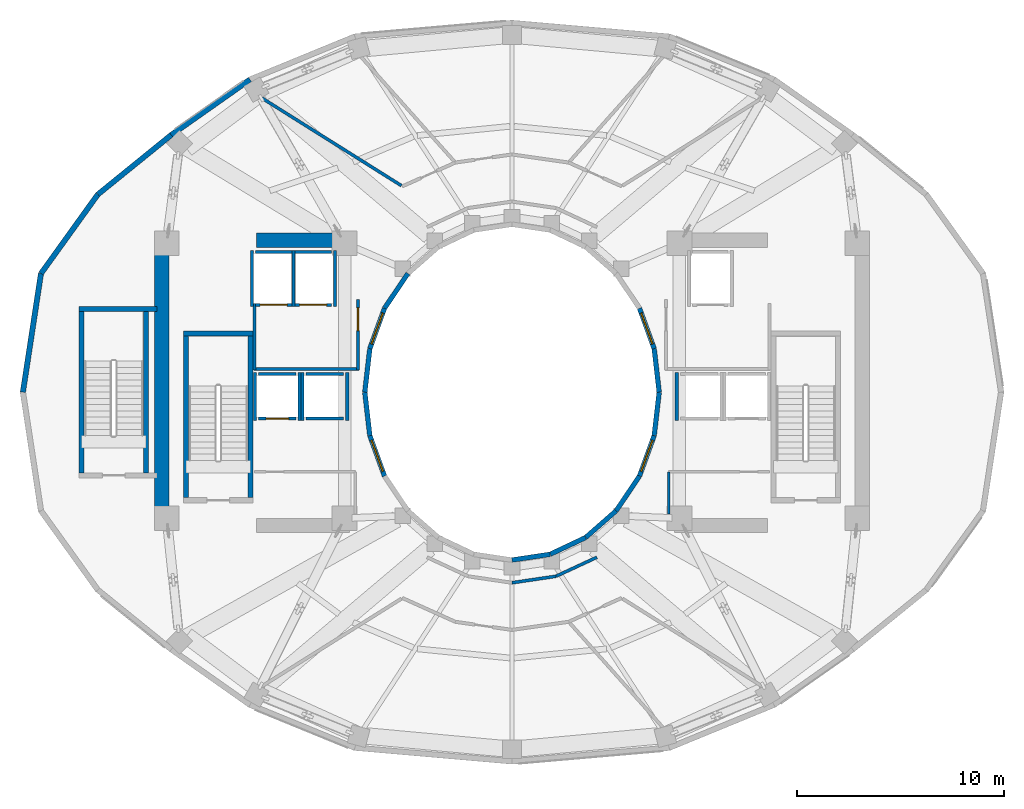
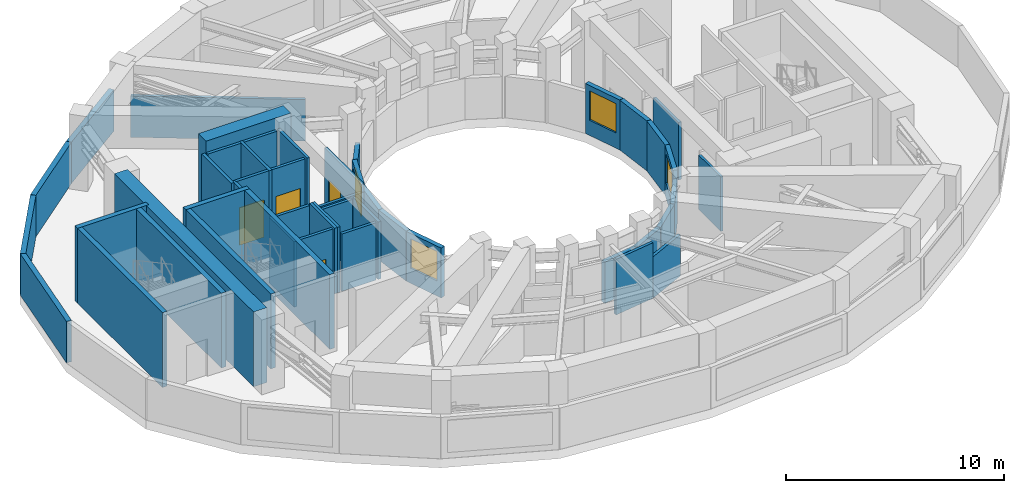
# One storey, part 4 of 10: 48 walls, 4 doors, 4 windows, 8 openings.
"""IFC4 building model written with IfcOpenShell, lengths in metres."""

from ifc_helpers import new_model, si_unit, direction, frame, frame_2d, origin, place, context, subcontext, project, spatial, rectangle, extrude, material, layer, layer_set, type_object, element, fill, save


model = new_model("IFC4")

# Units and contexts
model_context = context("Model", 3, precision=1e-05, world=origin(), true_north=direction((0.0, 1.0)))
body_context = subcontext(model_context, "Body", "Model", "MODEL_VIEW")
ifc_project = project(units=[si_unit("LENGTHUNIT", "METRE"), si_unit("AREAUNIT", "SQUARE_METRE"), si_unit("VOLUMEUNIT", "CUBIC_METRE"), si_unit("PLANEANGLEUNIT", "RADIAN"), si_unit("MASSUNIT", "GRAM", prefix="KILO")], contexts=[model_context])

# Site, building, storey
site_placement = place(None, origin())
site = spatial("IfcSite", under=ifc_project, at=site_placement, CompositionType="ELEMENT")
building_placement = place(site_placement, origin())
building = spatial("IfcBuilding", under=site, at=building_placement, Name="Solvane Sanctuary Tower", CompositionType="ELEMENT")
storey_placement = place(building_placement, frame((0.0, 0.0, 129.0)))
storey = spatial("IfcBuildingStorey", under=building, at=storey_placement, Name="L39", CompositionType="ELEMENT", Elevation=129.0)

# Walls
ifc_material_1 = material(Name="Concrete C60/75", Category="concrete")
ifc_layer_1 = layer(ifc_material_1, 0.699951171875, Name="Concrete C60/75")
ifc_layer_set_1 = layer_set([ifc_layer_1], Name="Concrete C60/75")
wall_type_1 = type_object("IfcWallType", Name="Wall W-CORE-700", PredefinedType="SHEAR", material=ifc_layer_set_1)
wall_1_placement = place(storey_placement, frame((15.050048828125, 17.050048828125, 0.0), z_axis=(0.0, 0.0, 1.0), x_axis=(0.0, 1.0, 0.0)))
element("IfcWall", 1, at=wall_1_placement, inside=storey, type_object=wall_type_1, Name="L39 Core Shear Wall WC-W", PredefinedType="SHEAR", context=body_context, shape_type="SweptSolid", body=[
    extrude(rectangle(XDim=12.800048828125, YDim=0.699951171875, at=frame_2d((6.39990234375, 0.0))), origin(), (0.0, 0.0, 1.0), 4.199951171875),
])
wall_2_placement = place(storey_placement, frame((19.64990234375, 30.35009765625, 0.0), z_axis=(0.0, 0.0, 1.0), x_axis=(1.0, 0.0, 0.0)))
element("IfcWall", 2, at=wall_2_placement, inside=storey, type_object=wall_type_1, Name="L39 Core Shear Wall WC-N", PredefinedType="SHEAR", context=body_context, shape_type="SweptSolid", body=[
    extrude(rectangle(XDim=4.5, YDim=0.699951171875, at=frame_2d((2.25, 0.0))), origin(), (0.0, 0.0, 1.0), 4.199951171875),
])
ifc_material_2 = material(Name="Acoustic Gypsum Partition Board")
ifc_layer_2 = layer(ifc_material_2, 0.14990234375, Name="Acoustic Gypsum Partition Board")
ifc_layer_set_2 = layer_set([ifc_layer_2], Name="Acoustic Gypsum Partition Board")
wall_type_2 = type_object("IfcWallType", Name="Wall W-CORR-150", PredefinedType="PARTITIONING", material=ifc_layer_set_2)
wall_3_placement = place(storey_placement, frame((19.52001953125, 24.1201171875, 0.0), z_axis=(0.0, 0.0, 1.0), x_axis=(1.0, 0.0, 0.0)))
element("IfcWall", 3, at=wall_3_placement, inside=storey, type_object=wall_type_2, Name="L39 West Firefighting Lobby South Wall", PredefinedType="PARTITIONING", context=body_context, shape_type="SweptSolid", body=[
    extrude(rectangle(XDim=5.080078125, YDim=0.14990234375, at=frame_2d((2.5400390625, 0.0))), origin(), (0.0, 0.0, 1.0), 3.219970703125),
])
wall_4_placement = place(storey_placement, frame((19.550048828125, 24.080078125, 0.0), z_axis=(0.0, 0.0, 1.0), x_axis=(0.0, 1.0, 0.0)))
element("IfcWall", 4, at=wall_4_placement, inside=storey, type_object=wall_type_2, Name="L39 West Firefighting Lobby West Wall", PredefinedType="PARTITIONING", context=body_context, shape_type="SweptSolid", body=[
    extrude(rectangle(XDim=3.199951171875, YDim=0.14990234375, at=frame_2d((1.60009765625, 0.0))), origin(), (0.0, 0.0, 1.0), 3.675048828125),
])

# Wall, opening, door
wall_5_placement = place(storey_placement, frame((24.550048828125, 24.080078125, 0.0), z_axis=(0.0, 0.0, 1.0), x_axis=(0.0, 1.0, 0.0)))
wall_5 = element("IfcWall", 5, at=wall_5_placement, inside=storey, type_object=wall_type_2, Name="L39 West Firefighting Lobby East Wall", PredefinedType="PARTITIONING", context=body_context, shape_type="SweptSolid", body=[
    extrude(rectangle(XDim=3.39990234375, YDim=0.14990234375, at=frame_2d((1.699951171875, 0.0))), origin(), (0.0, 0.0, 1.0), 3.675048828125),
])
opening_1_placement = place(wall_5_placement, frame((1.893798828125, 0.0, 0.0)))
opening_1 = element("IfcOpeningElement", 6, at=opening_1_placement, cuts=wall_5, Name="Opening D-L39-04", PredefinedType="OPENING", context=body_context, shape_type="SweptSolid", body=[
    extrude(rectangle(XDim=1.10009765625, YDim=2.10009765625, at=frame_2d((0.550048828125, 1.050048828125))), frame((0.0, 0.0849609375, 0.0), z_axis=(0.0, -1.0, 0.0), x_axis=(1.0, 0.0, 0.0)), (0.0, 0.0, 1.0), 0.169921875),
])
ifc_material_3 = material(Name="Architectural Stainless Steel 316", Category="steel")
door_type_1 = type_object("IfcDoorType", Name="Door D-FFL", OperationType="NOTDEFINED", PredefinedType="DOOR", material=ifc_material_3)
door_1_placement = place(opening_1_placement, origin())
door_1 = element("IfcDoor", 7, at=door_1_placement, inside=storey, type_object=door_type_1, Name="L39 West Firefighting Lobby Fire Door", OperationType="SINGLE_SWING_LEFT", OverallHeight=2.10009765625, OverallWidth=1.10009765625, PredefinedType="DOOR", context=body_context, shape_type="SweptSolid", body=[
    extrude(rectangle(XDim=1.10009765625, YDim=2.10009765625, at=frame_2d((0.550048828125, 1.050048828125))), frame((0.0, 0.02490234375, 0.0), z_axis=(0.0, -1.0, 0.0), x_axis=(1.0, 0.0, 0.0)), (0.0, 0.0, 1.0), 0.050048828125),
])
fill(opening_1, door_1)

# Walls
wall_6_placement = place(storey_placement, frame((32.0, 13.780029296875, 0.0), z_axis=(0.0, 0.0, 1.0), x_axis=(0.989268584896, 0.146108408166, 0.0)))
element("IfcWall", 8, at=wall_6_placement, inside=storey, type_object=wall_type_2, Name="L39 Light-Well Corridor Rim Wall S3", PredefinedType="PARTITIONING", context=body_context, shape_type="SweptSolid", body=[
    extrude(rectangle(XDim=2.150634765625, YDim=0.14990234375, at=frame_2d((1.0751953125, 0.0))), origin(), (0.0, 0.0, 1.0), 3.118896484375),
])
wall_7_placement = place(storey_placement, frame((34.12744140625, 14.09423828125, 0.0), z_axis=(0.0, 0.0, 1.0), x_axis=(0.906943449489, 0.421252393975, 0.0)))
element("IfcWall", 9, at=wall_7_placement, inside=storey, type_object=wall_type_2, Name="L39 Light-Well Corridor Rim Wall S4", PredefinedType="PARTITIONING", context=body_context, shape_type="SweptSolid", body=[
    extrude(rectangle(XDim=2.18603515625, YDim=0.14990234375, at=frame_2d((1.093017578125, 0.0))), origin(), (0.0, 0.0, 1.0), 2.320068359375),
])
wall_8_placement = place(storey_placement, frame((26.6533203125, 32.988525390625, 0.0), z_axis=(0.0, 0.0, 1.0), x_axis=(-0.846958426242, 0.531659124081, 0.0)))
element("IfcWall", 10, at=wall_8_placement, inside=storey, type_object=wall_type_2, Name="L39 Mechanical Plant Radial Wall 120", PredefinedType="PARTITIONING", context=body_context, shape_type="SweptSolid", body=[
    extrude(rectangle(XDim=8.031982421875, YDim=0.14990234375, at=frame_2d((4.01611328125, 0.0))), origin(), (0.0, 0.0, 1.0), 2.320068359375),
])
ifc_material_4 = material(Name="Precast concrete C40/50", Category="concrete")
ifc_layer_3 = layer(ifc_material_4, 0.260009765625, Name="Precast concrete C40/50")
ifc_layer_set_3 = layer_set([ifc_layer_3], Name="Precast concrete C40/50")
wall_type_3 = type_object("IfcWallType", Name="Wall W-EXT-250", PredefinedType="STANDARD", material=ifc_layer_set_3)
wall_9_placement = place(storey_placement, frame((19.324951171875, 38.122314453125, 0.0), z_axis=(0.0, 0.0, 1.0), x_axis=(-0.817976353794, -0.575251844529, 0.0)))
element("IfcWall", 11, at=wall_9_placement, inside=storey, type_object=wall_type_3, Name="L39 Mechanical Plant Perimeter Wall 08", PredefinedType="STANDARD", context=body_context, shape_type="SweptSolid", body=[
    extrude(rectangle(XDim=4.656982421875, YDim=0.260009765625, at=frame_2d((2.32861328125, 0.0))), origin(), (0.0, 0.0, 1.0), 2.320068359375),
])
wall_10_placement = place(storey_placement, frame((15.515625, 35.443359375, 0.0), z_axis=(0.0, 0.0, 1.0), x_axis=(-0.776963479771, -0.629545670387, 0.0)))
element("IfcWall", 12, at=wall_10_placement, inside=storey, type_object=wall_type_3, Name="L39 Mechanical Plant Perimeter Wall 09", PredefinedType="STANDARD", context=body_context, shape_type="SweptSolid", body=[
    extrude(rectangle(XDim=4.567626953125, YDim=0.260009765625, at=frame_2d((2.28369140625, 0.0))), origin(), (0.0, 0.0, 1.0), 2.320068359375),
])
wall_11_placement = place(storey_placement, frame((11.966796875, 32.56787109375, 0.0), z_axis=(0.0, 0.0, 1.0), x_axis=(-0.583704335039, -0.811966285788, 0.0)))
element("IfcWall", 13, at=wall_11_placement, inside=storey, type_object=wall_type_3, Name="L39 Mechanical Plant Perimeter Wall 10", PredefinedType="STANDARD", context=body_context, shape_type="SweptSolid", body=[
    extrude(rectangle(XDim=4.714599609375, YDim=0.260009765625, at=frame_2d((2.357421875, 0.0))), origin(), (0.0, 0.0, 1.0), 2.320068359375),
])
wall_12_placement = place(storey_placement, frame((9.21484375, 28.73974609375, 0.0), z_axis=(0.0, 0.0, 1.0), x_axis=(-0.150663564271, -0.988585095174, 0.0)))
element("IfcWall", 14, at=wall_12_placement, inside=storey, type_object=wall_type_3, Name="L39 Mechanical Plant Perimeter Wall 11", PredefinedType="STANDARD", context=body_context, shape_type="SweptSolid", body=[
    extrude(rectangle(XDim=5.805908203125, YDim=0.260009765625, at=frame_2d((2.90283203125, 0.0))), origin(), (0.0, 0.0, 1.0), 2.320068359375),
])
ifc_layer_4 = layer(ifc_material_4, 0.22998046875, Name="Precast concrete C40/50")
ifc_layer_set_4 = layer_set([ifc_layer_4], Name="Precast concrete C40/50")
wall_type_4 = type_object("IfcWallType", Name="Wall W-EXT-SP220", PredefinedType="STANDARD", material=ifc_layer_set_4)
wall_13_placement = place(storey_placement, frame((39.1201171875, 23.0, 0.0), z_axis=(0.0, 0.0, 1.0), x_axis=(-0.114711713601, 0.993398823617, 0.0)))
element("IfcWall", 15, at=wall_13_placement, inside=storey, type_object=wall_type_4, Name="L39 Central Light-Well Wall 00", PredefinedType="STANDARD", context=body_context, shape_type="SweptSolid", body=[
    extrude(rectangle(XDim=2.115478515625, YDim=0.22998046875, at=frame_2d((1.0576171875, 0.0))), origin(), (0.0, 0.0, 1.0), 2.800048828125),
])

# Wall, opening, window
wall_14_placement = place(storey_placement, frame((38.87744140625, 25.1015625, 0.0), z_axis=(0.0, 0.0, 1.0), x_axis=(-0.341423187295, 0.93990968033, 0.0)))
wall_14 = element("IfcWall", 16, at=wall_14_placement, inside=storey, type_object=wall_type_4, Name="L39 Central Light-Well Wall 01", PredefinedType="STANDARD", context=body_context, shape_type="SweptSolid", body=[
    extrude(rectangle(XDim=2.083740234375, YDim=0.22998046875, at=frame_2d((1.0419921875, 0.0))), origin(), (0.0, 0.0, 1.0), 2.800048828125),
])
opening_2_placement = place(wall_14_placement, frame((0.24169921875, 0.0, 0.85009765625)))
opening_2 = element("IfcOpeningElement", 17, at=opening_2_placement, cuts=wall_14, Name="Opening WN-WELL-1600", PredefinedType="OPENING", context=body_context, shape_type="SweptSolid", body=[
    extrude(rectangle(XDim=1.60009765625, YDim=1.64990234375, at=frame_2d((0.800048828125, 0.824951171875))), frame((0.0, 0.125, 0.0), z_axis=(0.0, -1.0, 0.0), x_axis=(1.0, 0.0, 0.0)), (0.0, 0.0, 1.0), 0.25),
])
ifc_material_5 = material(Name="Clear Laminated Light-Well Glass", Category="glass")
window_type = type_object("IfcWindowType", Name="Window WN-WELL-1600", PartitioningType="SINGLE_PANEL", PredefinedType="WINDOW", material=ifc_material_5)
window_1_placement = place(opening_2_placement, origin())
window_1 = element("IfcWindow", 18, at=window_1_placement, inside=storey, type_object=window_type, Name="L39 Light-Well Daylight Window 01", OverallHeight=1.64990234375, OverallWidth=1.60009765625, PartitioningType="SINGLE_PANEL", PredefinedType="WINDOW", context=body_context, shape_type="SweptSolid", body=[
    extrude(rectangle(XDim=1.60009765625, YDim=1.64990234375, at=frame_2d((0.800048828125, 0.824951171875))), frame((0.0, 0.030029296875, 0.0), z_axis=(0.0, -1.0, 0.0), x_axis=(1.0, 0.0, 0.0)), (0.0, 0.0, 1.0), 0.06005859375),
])
fill(opening_2, window_1)

# Wall
wall_15_placement = place(storey_placement, frame((26.96533203125, 28.74169921875, 0.0), z_axis=(0.0, 0.0, 1.0), x_axis=(-0.558197800898, -0.829707909492, 0.0)))
element("IfcWall", 19, at=wall_15_placement, inside=storey, type_object=wall_type_4, Name="L39 Central Light-Well Wall 09", PredefinedType="STANDARD", context=body_context, shape_type="SweptSolid", body=[
    extrude(rectangle(XDim=2.02685546875, YDim=0.22998046875, at=frame_2d((1.013427734375, 0.0))), origin(), (0.0, 0.0, 1.0), 2.320068359375),
])

# Wall, opening, window
wall_16_placement = place(storey_placement, frame((25.833984375, 27.06005859375, 0.0), z_axis=(0.0, 0.0, 1.0), x_axis=(-0.341423187295, -0.93990968033, 0.0)))
wall_16 = element("IfcWall", 20, at=wall_16_placement, inside=storey, type_object=wall_type_4, Name="L39 Central Light-Well Wall 10", PredefinedType="STANDARD", context=body_context, shape_type="SweptSolid", body=[
    extrude(rectangle(XDim=2.083740234375, YDim=0.22998046875, at=frame_2d((1.0419921875, 0.0))), origin(), (0.0, 0.0, 1.0), 2.800048828125),
])
opening_3_placement = place(wall_16_placement, frame((0.24169921875, 0.0, 0.85009765625)))
opening_3 = element("IfcOpeningElement", 21, at=opening_3_placement, cuts=wall_16, Name="Opening WN-WELL-1600", PredefinedType="OPENING", context=body_context, shape_type="SweptSolid", body=[
    extrude(rectangle(XDim=1.60009765625, YDim=1.64990234375, at=frame_2d((0.800048828125, 0.824951171875))), frame((0.0, 0.125, 0.0), z_axis=(0.0, -1.0, 0.0), x_axis=(1.0, 0.0, 0.0)), (0.0, 0.0, 1.0), 0.25),
])
window_2_placement = place(opening_3_placement, origin())
window_2 = element("IfcWindow", 22, at=window_2_placement, inside=storey, type_object=window_type, Name="L39 Light-Well Daylight Window 10", OverallHeight=1.64990234375, OverallWidth=1.60009765625, PartitioningType="SINGLE_PANEL", PredefinedType="WINDOW", context=body_context, shape_type="SweptSolid", body=[
    extrude(rectangle(XDim=1.60009765625, YDim=1.64990234375, at=frame_2d((0.800048828125, 0.824951171875))), frame((0.0, 0.030029296875, 0.0), z_axis=(0.0, -1.0, 0.0), x_axis=(1.0, 0.0, 0.0)), (0.0, 0.0, 1.0), 0.06005859375),
])
fill(opening_3, window_2)

# Walls
for number, where, z_axis, x_axis, name in (
    (23, (25.12255859375, 25.1015625, 0.0), (0.0, 0.0, 1.0), (-0.114711713601, -0.993398823617, 0.0), "L39 Central Light-Well Wall 11"),
    (24, (24.8798828125, 23.0, 0.0), (0.0, 0.0, 1.0), (0.114711713601, -0.993398823617, 0.0), "L39 Central Light-Well Wall 12"),
):
    element("IfcWall", number, at=place(storey_placement, frame(where, z_axis=z_axis, x_axis=x_axis)), inside=storey, type_object=wall_type_4, Name=name, PredefinedType="STANDARD", context=body_context, shape_type="SweptSolid", body=[
        extrude(rectangle(XDim=2.115478515625, YDim=0.22998046875, at=frame_2d((1.0576171875, 0.0))), origin(), (0.0, 0.0, 1.0), 2.800048828125),
    ])

# Wall, opening, window
wall_17_placement = place(storey_placement, frame((25.12255859375, 20.8984375, 0.0), z_axis=(0.0, 0.0, 1.0), x_axis=(0.341423187295, -0.93990968033, 0.0)))
wall_17 = element("IfcWall", 25, at=wall_17_placement, inside=storey, type_object=wall_type_4, Name="L39 Central Light-Well Wall 13", PredefinedType="STANDARD", context=body_context, shape_type="SweptSolid", body=[
    extrude(rectangle(XDim=2.083740234375, YDim=0.22998046875, at=frame_2d((1.0419921875, 0.0))), origin(), (0.0, 0.0, 1.0), 2.800048828125),
])
opening_4_placement = place(wall_17_placement, frame((0.24169921875, 0.0, 0.85009765625)))
opening_4 = element("IfcOpeningElement", 26, at=opening_4_placement, cuts=wall_17, Name="Opening WN-WELL-1600", PredefinedType="OPENING", context=body_context, shape_type="SweptSolid", body=[
    extrude(rectangle(XDim=1.60009765625, YDim=1.64990234375, at=frame_2d((0.800048828125, 0.824951171875))), frame((0.0, 0.125, 0.0), z_axis=(0.0, -1.0, 0.0), x_axis=(1.0, 0.0, 0.0)), (0.0, 0.0, 1.0), 0.25),
])
window_3_placement = place(opening_4_placement, origin())
window_3 = element("IfcWindow", 27, at=window_3_placement, inside=storey, type_object=window_type, Name="L39 Light-Well Daylight Window 13", OverallHeight=1.64990234375, OverallWidth=1.60009765625, PartitioningType="SINGLE_PANEL", PredefinedType="WINDOW", context=body_context, shape_type="SweptSolid", body=[
    extrude(rectangle(XDim=1.60009765625, YDim=1.64990234375, at=frame_2d((0.800048828125, 0.824951171875))), frame((0.0, 0.030029296875, 0.0), z_axis=(0.0, -1.0, 0.0), x_axis=(1.0, 0.0, 0.0)), (0.0, 0.0, 1.0), 0.06005859375),
])
fill(opening_4, window_3)

# Walls
wall_18_placement = place(storey_placement, frame((32.0, 14.8798828125, 0.0), z_axis=(0.0, 0.0, 1.0), x_axis=(0.988901730308, 0.148571086668, 0.0)))
element("IfcWall", 28, at=wall_18_placement, inside=storey, type_object=wall_type_4, Name="L39 Central Light-Well Wall 18", PredefinedType="STANDARD", context=body_context, shape_type="SweptSolid", body=[
    extrude(rectangle(XDim=1.863525390625, YDim=0.22998046875, at=frame_2d((0.931640625, 0.0))), origin(), (0.0, 0.0, 1.0), 2.320068359375),
])
wall_19_placement = place(storey_placement, frame((33.8427734375, 15.15673828125, 0.0), z_axis=(0.0, 0.0, 1.0), x_axis=(0.904179699603, 0.427152280606, 0.0)))
element("IfcWall", 29, at=wall_19_placement, inside=storey, type_object=wall_type_4, Name="L39 Central Light-Well Wall 19", PredefinedType="STANDARD", context=body_context, shape_type="SweptSolid", body=[
    extrude(rectangle(XDim=1.899169921875, YDim=0.22998046875, at=frame_2d((0.94970703125, 0.0))), origin(), (0.0, 0.0, 1.0), 2.320068359375),
])
wall_20_placement = place(storey_placement, frame((35.56005859375, 15.968017578125, 0.0), z_axis=(0.0, 0.0, 1.0), x_axis=(0.752576694707, 0.658504607869, 0.0)))
element("IfcWall", 30, at=wall_20_placement, inside=storey, type_object=wall_type_4, Name="L39 Central Light-Well Wall 20", PredefinedType="STANDARD", context=body_context, shape_type="SweptSolid", body=[
    extrude(rectangle(XDim=1.95947265625, YDim=0.22998046875, at=frame_2d((0.979736328125, 0.0))), origin(), (0.0, 0.0, 1.0), 2.320068359375),
])
wall_21_placement = place(storey_placement, frame((37.03466796875, 17.25830078125, 0.0), z_axis=(0.0, 0.0, 1.0), x_axis=(0.558197800898, 0.829707909492, 0.0)))
element("IfcWall", 31, at=wall_21_placement, inside=storey, type_object=wall_type_4, Name="L39 Central Light-Well Wall 21", PredefinedType="STANDARD", context=body_context, shape_type="SweptSolid", body=[
    extrude(rectangle(XDim=2.02685546875, YDim=0.22998046875, at=frame_2d((1.013427734375, 0.0))), origin(), (0.0, 0.0, 1.0), 2.320068359375),
])

# Wall, opening, window
wall_22_placement = place(storey_placement, frame((38.166015625, 18.93994140625, 0.0), z_axis=(0.0, 0.0, 1.0), x_axis=(0.341423187295, 0.93990968033, 0.0)))
wall_22 = element("IfcWall", 32, at=wall_22_placement, inside=storey, type_object=wall_type_4, Name="L39 Central Light-Well Wall 22", PredefinedType="STANDARD", context=body_context, shape_type="SweptSolid", body=[
    extrude(rectangle(XDim=2.083740234375, YDim=0.22998046875, at=frame_2d((1.0419921875, 0.0))), origin(), (0.0, 0.0, 1.0), 2.800048828125),
])
opening_5_placement = place(wall_22_placement, frame((0.24169921875, 0.0, 0.85009765625)))
opening_5 = element("IfcOpeningElement", 33, at=opening_5_placement, cuts=wall_22, Name="Opening WN-WELL-1600", PredefinedType="OPENING", context=body_context, shape_type="SweptSolid", body=[
    extrude(rectangle(XDim=1.60009765625, YDim=1.64990234375, at=frame_2d((0.800048828125, 0.824951171875))), frame((0.0, 0.125, 0.0), z_axis=(0.0, -1.0, 0.0), x_axis=(1.0, 0.0, 0.0)), (0.0, 0.0, 1.0), 0.25),
])
window_4_placement = place(opening_5_placement, origin())
window_4 = element("IfcWindow", 34, at=window_4_placement, inside=storey, type_object=window_type, Name="L39 Light-Well Daylight Window 22", OverallHeight=1.64990234375, OverallWidth=1.60009765625, PartitioningType="SINGLE_PANEL", PredefinedType="WINDOW", context=body_context, shape_type="SweptSolid", body=[
    extrude(rectangle(XDim=1.60009765625, YDim=1.64990234375, at=frame_2d((0.800048828125, 0.824951171875))), frame((0.0, 0.030029296875, 0.0), z_axis=(0.0, -1.0, 0.0), x_axis=(1.0, 0.0, 0.0)), (0.0, 0.0, 1.0), 0.06005859375),
])
fill(opening_5, window_4)

# Walls
wall_23_placement = place(storey_placement, frame((38.87744140625, 20.8984375, 0.0), z_axis=(0.0, 0.0, 1.0), x_axis=(0.114711713601, 0.993398823617, 0.0)))
element("IfcWall", 35, at=wall_23_placement, inside=storey, type_object=wall_type_4, Name="L39 Central Light-Well Wall 23", PredefinedType="STANDARD", context=body_context, shape_type="SweptSolid", body=[
    extrude(rectangle(XDim=2.115478515625, YDim=0.22998046875, at=frame_2d((1.0576171875, 0.0))), origin(), (0.0, 0.0, 1.0), 2.800048828125),
])
ifc_layer_5 = layer(ifc_material_2, 0.125, Name="Acoustic Gypsum Partition Board")
ifc_layer_set_5 = layer_set([ifc_layer_5], Name="Acoustic Gypsum Partition Board")
wall_type_5 = type_object("IfcWallType", Name="Wall W-PART-125", PredefinedType="PARTITIONING", material=ifc_layer_set_5)
wall_24_placement = place(storey_placement, frame((39.580078125, 17.10009765625, 0.0), z_axis=(0.0, 0.0, 1.0), x_axis=(0.0, 1.0, 0.0)))
element("IfcWall", 36, at=wall_24_placement, inside=storey, type_object=wall_type_5, Name="L39 Reclaimed Room Closer Wall PLE-1", PredefinedType="PARTITIONING", context=body_context, shape_type="SweptSolid", body=[
    extrude(rectangle(XDim=2.039794921875, YDim=0.125, at=frame_2d((1.02001953125, 0.0))), origin(), (0.0, 0.0, 1.0), 3.052001953125),
])

# Wall, opening, door
ifc_material_6 = material(Name="Concrete C50/60", Category="concrete")
ifc_layer_6 = layer(ifc_material_6, 0.14990234375, Name="Concrete C50/60")
ifc_layer_set_6 = layer_set([ifc_layer_6], Name="Concrete C50/60")
wall_type_6 = type_object("IfcWallType", Name="Wall W-SHAFT-150", PredefinedType="SOLIDWALL", material=ifc_layer_set_6)
wall_25_placement = place(storey_placement, frame((19.739990234375, 21.719970703125, 0.0), z_axis=(0.0, 0.0, 1.0), x_axis=(1.0, 0.0, 0.0)))
wall_25 = element("IfcWall", 37, at=wall_25_placement, inside=storey, type_object=wall_type_6, Name="L39 PM-1 Lift Shaft Wall F", PredefinedType="SOLIDWALL", context=body_context, shape_type="SweptSolid", body=[
    extrude(rectangle(XDim=1.820068359375, YDim=0.14990234375, at=frame_2d((0.91015625, 0.0))), origin(), (0.0, 0.0, 1.0), 3.675048828125),
])
opening_6_placement = place(wall_25_placement, frame((0.360107421875, 0.0, 0.0)))
opening_6 = element("IfcOpeningElement", 38, at=opening_6_placement, cuts=wall_25, Name="Opening LD-L39-01", PredefinedType="OPENING", context=body_context, shape_type="SweptSolid", body=[
    extrude(rectangle(XDim=1.10009765625, YDim=2.10009765625, at=frame_2d((0.550048828125, 1.050048828125))), frame((0.0, 0.0849609375, 0.0), z_axis=(0.0, -1.0, 0.0), x_axis=(1.0, 0.0, 0.0)), (0.0, 0.0, 1.0), 0.169921875),
])
door_type_2 = type_object("IfcDoorType", Name="Door LD-PASS-1100", OperationType="NOTDEFINED", PredefinedType="DOOR", material=ifc_material_3)
door_2_placement = place(opening_6_placement, origin())
door_2 = element("IfcDoor", 39, at=door_2_placement, inside=storey, type_object=door_type_2, Name="L39 PM-1 Lift Landing Door", OperationType="DOUBLE_DOOR_SLIDING", OverallHeight=2.10009765625, OverallWidth=1.10009765625, PredefinedType="DOOR", context=body_context, shape_type="SweptSolid", body=[
    extrude(rectangle(XDim=1.10009765625, YDim=2.10009765625, at=frame_2d((0.550048828125, 1.050048828125))), frame((0.0, 0.02490234375, 0.0), z_axis=(0.0, -1.0, 0.0), x_axis=(1.0, 0.0, 0.0)), (0.0, 0.0, 1.0), 0.050048828125),
])
fill(opening_6, door_2)

# Walls
wall_26_placement = place(storey_placement, frame((19.739990234375, 23.8798828125, 0.0), z_axis=(0.0, 0.0, 1.0), x_axis=(1.0, 0.0, 0.0)))
element("IfcWall", 40, at=wall_26_placement, inside=storey, type_object=wall_type_6, Name="L39 PM-1 Lift Shaft Wall B", PredefinedType="SOLIDWALL", context=body_context, shape_type="SweptSolid", body=[
    extrude(rectangle(XDim=1.820068359375, YDim=0.14990234375, at=frame_2d((0.91015625, 0.0))), origin(), (0.0, 0.0, 1.0), 3.675048828125),
])
for number, where, z_axis, x_axis, name in (
    (41, (19.570068359375, 21.639892578125, 0.0), (0.0, 0.0, 1.0), (0.0, 1.0, 0.0), "L39 PM-1 Lift Shaft Wall S1"),
    (42, (21.72998046875, 21.639892578125, 0.0), (0.0, 0.0, 1.0), (0.0, 1.0, 0.0), "L39 PM-1 Lift Shaft Wall S2"),
):
    element("IfcWall", number, at=place(storey_placement, frame(where, z_axis=z_axis, x_axis=x_axis)), inside=storey, type_object=wall_type_6, Name=name, PredefinedType="SOLIDWALL", context=body_context, shape_type="SweptSolid", body=[
        extrude(rectangle(XDim=2.320068359375, YDim=0.14990234375, at=frame_2d((1.16015625, 0.0))), origin(), (0.0, 0.0, 1.0), 3.675048828125),
    ])
for number, where, z_axis, x_axis, name in (
    (43, (22.0400390625, 21.719970703125, 0.0), (0.0, 0.0, 1.0), (1.0, 0.0, 0.0), "L39 PH-1 Lift Shaft Wall F"),
    (44, (22.0400390625, 23.8798828125, 0.0), (0.0, 0.0, 1.0), (1.0, 0.0, 0.0), "L39 PH-1 Lift Shaft Wall B"),
):
    element("IfcWall", number, at=place(storey_placement, frame(where, z_axis=z_axis, x_axis=x_axis)), inside=storey, type_object=wall_type_6, Name=name, PredefinedType="SOLIDWALL", context=body_context, shape_type="SweptSolid", body=[
        extrude(rectangle(XDim=1.820068359375, YDim=0.14990234375, at=frame_2d((0.91015625, 0.0))), origin(), (0.0, 0.0, 1.0), 3.219970703125),
    ])
wall_27_placement = place(storey_placement, frame((21.8701171875, 21.639892578125, 0.0), z_axis=(0.0, 0.0, 1.0), x_axis=(0.0, 1.0, 0.0)))
element("IfcWall", 45, at=wall_27_placement, inside=storey, type_object=wall_type_6, Name="L39 PH-1 Lift Shaft Wall S1", PredefinedType="SOLIDWALL", context=body_context, shape_type="SweptSolid", body=[
    extrude(rectangle(XDim=2.320068359375, YDim=0.14990234375, at=frame_2d((1.16015625, 0.0))), origin(), (0.0, 0.0, 1.0), 3.675048828125),
])
for number, where, z_axis, x_axis, name in (
    (46, (24.030029296875, 21.639892578125, 0.0), (0.0, 0.0, 1.0), (0.0, 1.0, 0.0), "L39 PH-1 Lift Shaft Wall S2"),
    (47, (39.969970703125, 21.639892578125, 0.0), (0.0, 0.0, 1.0), (0.0, 1.0, 0.0), "L39 PH-2 Lift Shaft Wall S1"),
):
    element("IfcWall", number, at=place(storey_placement, frame(where, z_axis=z_axis, x_axis=x_axis)), inside=storey, type_object=wall_type_6, Name=name, PredefinedType="SOLIDWALL", context=body_context, shape_type="SweptSolid", body=[
        extrude(rectangle(XDim=2.320068359375, YDim=0.14990234375, at=frame_2d((1.16015625, 0.0))), origin(), (0.0, 0.0, 1.0), 3.219970703125),
    ])

# Wall, opening, door
wall_28_placement = place(storey_placement, frame((19.590087890625, 27.219970703125, 0.0), z_axis=(0.0, 0.0, 1.0), x_axis=(1.0, 0.0, 0.0)))
wall_28 = element("IfcWall", 48, at=wall_28_placement, inside=storey, type_object=wall_type_6, Name="L39 FFL-1 Lift Shaft Wall F", PredefinedType="SOLIDWALL", context=body_context, shape_type="SweptSolid", body=[
    extrude(rectangle(XDim=1.760009765625, YDim=0.14990234375, at=frame_2d((0.8798828125, 0.0))), origin(), (0.0, 0.0, 1.0), 3.675048828125),
])
opening_7_placement = place(wall_28_placement, frame((0.22998046875, 0.0, 0.0)))
opening_7 = element("IfcOpeningElement", 49, at=opening_7_placement, cuts=wall_28, Name="Opening LD-L39-03", PredefinedType="OPENING", context=body_context, shape_type="SweptSolid", body=[
    extrude(rectangle(XDim=1.300048828125, YDim=2.10009765625, at=frame_2d((0.64990234375, 1.050048828125))), frame((0.0, 0.0849609375, 0.0), z_axis=(0.0, -1.0, 0.0), x_axis=(1.0, 0.0, 0.0)), (0.0, 0.0, 1.0), 0.169921875),
])
door_type_3 = type_object("IfcDoorType", Name="Door LD-FFL-1300", OperationType="NOTDEFINED", PredefinedType="DOOR", material=ifc_material_3)
door_3_placement = place(opening_7_placement, origin())
door_3 = element("IfcDoor", 50, at=door_3_placement, inside=storey, type_object=door_type_3, Name="L39 FFL-1 Lift Landing Door", OperationType="DOUBLE_DOOR_SLIDING", OverallHeight=2.10009765625, OverallWidth=1.300048828125, PredefinedType="DOOR", context=body_context, shape_type="SweptSolid", body=[
    extrude(rectangle(XDim=1.300048828125, YDim=2.10009765625, at=frame_2d((0.64990234375, 1.050048828125))), frame((0.0, 0.02490234375, 0.0), z_axis=(0.0, -1.0, 0.0), x_axis=(1.0, 0.0, 0.0)), (0.0, 0.0, 1.0), 0.050048828125),
])
fill(opening_7, door_3)

# Walls
wall_29_placement = place(storey_placement, frame((19.590087890625, 29.780029296875, 0.0), z_axis=(0.0, 0.0, 1.0), x_axis=(1.0, 0.0, 0.0)))
element("IfcWall", 51, at=wall_29_placement, inside=storey, type_object=wall_type_6, Name="L39 FFL-1 Lift Shaft Wall B", PredefinedType="SOLIDWALL", context=body_context, shape_type="SweptSolid", body=[
    extrude(rectangle(XDim=1.760009765625, YDim=0.14990234375, at=frame_2d((0.8798828125, 0.0))), origin(), (0.0, 0.0, 1.0), 3.675048828125),
])
for number, where, z_axis, x_axis, name in (
    (52, (19.419921875, 27.139892578125, 0.0), (0.0, 0.0, 1.0), (0.0, 1.0, 0.0), "L39 FFL-1 Lift Shaft Wall S1"),
    (53, (21.425048828125, 27.139892578125, 0.0), (0.0, 0.0, 1.0), (0.0, 1.0, 0.0), "L39 FFL-1 Lift Shaft Wall S2"),
):
    element("IfcWall", number, at=place(storey_placement, frame(where, z_axis=z_axis, x_axis=x_axis)), inside=storey, type_object=wall_type_6, Name=name, PredefinedType="SOLIDWALL", context=body_context, shape_type="SweptSolid", body=[
        extrude(rectangle(XDim=2.72021484375, YDim=0.14990234375, at=frame_2d((1.360107421875, 0.0))), origin(), (0.0, 0.0, 1.0), 3.675048828125),
    ])

# Wall, opening, door
wall_30_placement = place(storey_placement, frame((21.5, 27.219970703125, 0.0), z_axis=(0.0, 0.0, 1.0), x_axis=(1.0, 0.0, 0.0)))
wall_30 = element("IfcWall", 54, at=wall_30_placement, inside=storey, type_object=wall_type_6, Name="L39 SVL-1 Lift Shaft Wall F", PredefinedType="SOLIDWALL", context=body_context, shape_type="SweptSolid", body=[
    extrude(rectangle(XDim=1.760009765625, YDim=0.14990234375, at=frame_2d((0.8798828125, 0.0))), origin(), (0.0, 0.0, 1.0), 3.675048828125),
])
opening_8_placement = place(wall_30_placement, frame((0.22998046875, 0.0, 0.0)))
opening_8 = element("IfcOpeningElement", 55, at=opening_8_placement, cuts=wall_30, Name="Opening LD-L39-04", PredefinedType="OPENING", context=body_context, shape_type="SweptSolid", body=[
    extrude(rectangle(XDim=1.300048828125, YDim=2.10009765625, at=frame_2d((0.64990234375, 1.050048828125))), frame((0.0, 0.0849609375, 0.0), z_axis=(0.0, -1.0, 0.0), x_axis=(1.0, 0.0, 0.0)), (0.0, 0.0, 1.0), 0.169921875),
])
door_4_placement = place(opening_8_placement, origin())
door_4 = element("IfcDoor", 56, at=door_4_placement, inside=storey, type_object=door_type_3, Name="L39 SVL-1 Lift Landing Door", OperationType="DOUBLE_DOOR_SLIDING", OverallHeight=2.10009765625, OverallWidth=1.300048828125, PredefinedType="DOOR", context=body_context, shape_type="SweptSolid", body=[
    extrude(rectangle(XDim=1.300048828125, YDim=2.10009765625, at=frame_2d((0.64990234375, 1.050048828125))), frame((0.0, 0.02490234375, 0.0), z_axis=(0.0, -1.0, 0.0), x_axis=(1.0, 0.0, 0.0)), (0.0, 0.0, 1.0), 0.050048828125),
])
fill(opening_8, door_4)

# Walls
wall_31_placement = place(storey_placement, frame((21.5, 29.780029296875, 0.0), z_axis=(0.0, 0.0, 1.0), x_axis=(1.0, 0.0, 0.0)))
element("IfcWall", 57, at=wall_31_placement, inside=storey, type_object=wall_type_6, Name="L39 SVL-1 Lift Shaft Wall B", PredefinedType="SOLIDWALL", context=body_context, shape_type="SweptSolid", body=[
    extrude(rectangle(XDim=1.760009765625, YDim=0.14990234375, at=frame_2d((0.8798828125, 0.0))), origin(), (0.0, 0.0, 1.0), 3.675048828125),
])
wall_32_placement = place(storey_placement, frame((23.429931640625, 27.139892578125, 0.0), z_axis=(0.0, 0.0, 1.0), x_axis=(0.0, 1.0, 0.0)))
element("IfcWall", 58, at=wall_32_placement, inside=storey, type_object=wall_type_6, Name="L39 SVL-1 Lift Shaft Wall S2", PredefinedType="SOLIDWALL", context=body_context, shape_type="SweptSolid", body=[
    extrude(rectangle(XDim=2.72021484375, YDim=0.14990234375, at=frame_2d((1.360107421875, 0.0))), origin(), (0.0, 0.0, 1.0), 3.675048828125),
])
ifc_layer_7 = layer(ifc_material_6, 0.25, Name="Concrete C50/60")
ifc_layer_set_7 = layer_set([ifc_layer_7], Name="Concrete C50/60")
wall_type_7 = type_object("IfcWallType", Name="Wall W-SHAFT-250", PredefinedType="SOLIDWALL", material=ifc_layer_set_7)
wall_33_placement = place(storey_placement, frame((16.10498046875, 25.830078125, 0.0), z_axis=(0.0, 0.0, 1.0), x_axis=(1.0, 0.0, 0.0)))
element("IfcWall", 59, at=wall_33_placement, inside=storey, type_object=wall_type_7, Name="L39 ST-1 Load-Bearing Shaft Wall N", PredefinedType="SOLIDWALL", context=body_context, shape_type="SweptSolid", body=[
    extrude(rectangle(XDim=3.3701171875, YDim=0.25, at=frame_2d((1.68505859375, 0.0))), origin(), (0.0, 0.0, 1.0), 4.199951171875),
])
for number, where, z_axis, x_axis, name in (
    (60, (16.22998046875, 17.89501953125, 0.0), (0.0, 0.0, 1.0), (0.0, 1.0, 0.0), "L39 ST-1 Load-Bearing Shaft Wall W"),
    (61, (19.35009765625, 17.89501953125, 0.0), (0.0, 0.0, 1.0), (0.0, 1.0, 0.0), "L39 ST-1 Load-Bearing Shaft Wall E"),
):
    element("IfcWall", number, at=place(storey_placement, frame(where, z_axis=z_axis, x_axis=x_axis)), inside=storey, type_object=wall_type_7, Name=name, PredefinedType="SOLIDWALL", context=body_context, shape_type="SweptSolid", body=[
        extrude(rectangle(XDim=7.81005859375, YDim=0.25, at=frame_2d((3.905029296875, 0.0))), origin(), (0.0, 0.0, 1.0), 4.199951171875),
    ])
wall_34_placement = place(storey_placement, frame((11.044921875, 27.030029296875, 0.0), z_axis=(0.0, 0.0, 1.0), x_axis=(1.0, 0.0, 0.0)))
element("IfcWall", 62, at=wall_34_placement, inside=storey, type_object=wall_type_7, Name="L39 ST-3 Load-Bearing Shaft Wall N", PredefinedType="SOLIDWALL", context=body_context, shape_type="SweptSolid", body=[
    extrude(rectangle(XDim=3.781982421875, YDim=0.25, at=frame_2d((1.89111328125, 0.0))), origin(), (0.0, 0.0, 1.0), 4.199951171875),
])
for number, where, z_axis, x_axis, name in (
    (63, (11.169921875, 19.094970703125, 0.0), (0.0, 0.0, 1.0), (0.0, 1.0, 0.0), "L39 ST-3 Load-Bearing Shaft Wall W"),
    (64, (14.2900390625, 19.094970703125, 0.0), (0.0, 0.0, 1.0), (0.0, 1.0, 0.0), "L39 ST-3 Load-Bearing Shaft Wall E"),
):
    element("IfcWall", number, at=place(storey_placement, frame(where, z_axis=z_axis, x_axis=x_axis)), inside=storey, type_object=wall_type_7, Name=name, PredefinedType="SOLIDWALL", context=body_context, shape_type="SweptSolid", body=[
        extrude(rectangle(XDim=7.81005859375, YDim=0.25, at=frame_2d((3.905029296875, 0.0))), origin(), (0.0, 0.0, 1.0), 4.199951171875),
    ])

save(model, "model.ifc")
